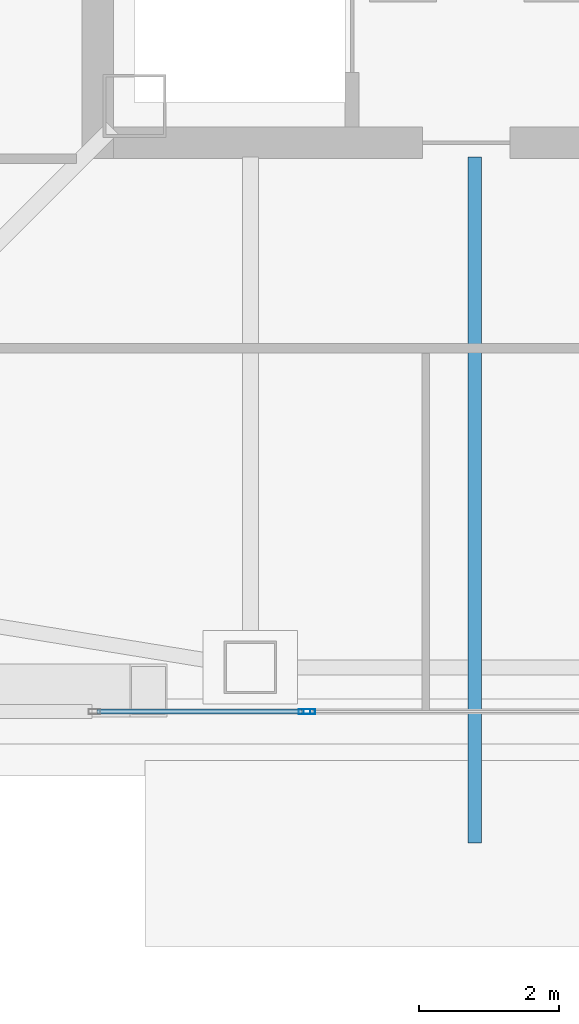
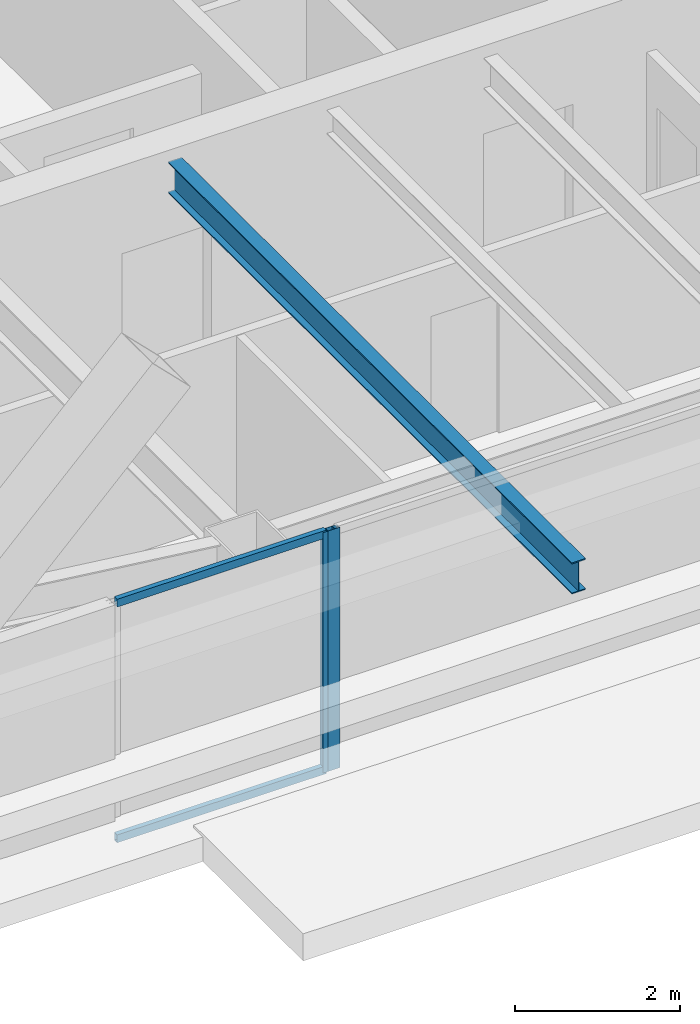
# One storey, part 5 of 39: 4 members, 1 beam, 2 elements without a shape of their own.
"""IFC4 building model written with IfcOpenShell, lengths in metres."""

from ifc_helpers import new_model, si_unit, direction, frame, origin, origin_2d, place, context, subcontext, project, spatial, hollow_rectangle, i_section, extrude, material, material_profile, profile_set, type_object, element, aggregate, save


model = new_model("IFC4")

# Units and contexts
model_context = context("Model", 3, precision=1e-05, world=origin(), true_north=direction((0.0, 1.0)))
body_context = subcontext(model_context, "Body", "Model", "MODEL_VIEW")
ifc_project = project(units=[si_unit("LENGTHUNIT", "METRE"), si_unit("AREAUNIT", "SQUARE_METRE"), si_unit("VOLUMEUNIT", "CUBIC_METRE"), si_unit("PLANEANGLEUNIT", "RADIAN"), si_unit("MASSUNIT", "GRAM", prefix="KILO")], contexts=[model_context])

# Site, building, storey
site_placement = place(None, origin())
site = spatial("IfcSite", under=ifc_project, at=site_placement, CompositionType="ELEMENT")
building_placement = place(site_placement, origin())
building = spatial("IfcBuilding", under=site, at=building_placement, Name="Tashvorn Skyway Center", CompositionType="ELEMENT")
storey_placement = place(building_placement, frame((0.0, 0.0, 232.60009765625)))
storey = spatial("IfcBuildingStorey", under=building, at=storey_placement, Name="L63", CompositionType="ELEMENT", Elevation=232.60009765625)

# Beam
ifc_material_1 = material(Name="Steel ASTM A992 Grade 50", Category="steel")
ifc_material_profile_1 = material_profile(ifc_material_1, i_section(OverallWidth=0.19091796875, OverallDepth=0.4599609375, WebThickness=0.010009765625, FlangeThickness=0.01611328125, at=origin_2d()), Name="W18X55")
ifc_profile_set_1 = profile_set([ifc_material_profile_1], Name="Steel ASTM A992 Grade 50")
beam_type = type_object("IfcBeamType", Name="BM-JOIST-W18X55", PredefinedType="JOIST", material=ifc_profile_set_1)
beam_placement = place(storey_placement, frame((39.800048828125, 24.219970703125, 3.139892578125), z_axis=(0.0, -1.0, 0.0), x_axis=(1.0, 0.0, 0.0)))
element("IfcBeam", 1, at=beam_placement, inside=storey, type_object=beam_type, Name="Tower 1 L64 Terrace Cantilever Outlooker 1", PredefinedType="JOIST", context=body_context, shape_type="SweptSolid", body=[
    extrude(i_section(OverallWidth=0.19091796875, OverallDepth=0.4599609375, WebThickness=0.010009765625, FlangeThickness=0.01611328125, at=origin_2d()), origin(), (0.0, 0.0, 1.0), 9.77001953125),
])

# Curtain wall, member
ifc_material_2 = material(Name="Thermally broken bronze-anodized aluminium 6063-T6", Category="aluminium")
curtain_wall_type = type_object("IfcCurtainWallType", Name="CW-CW-Z5", PredefinedType="NOTDEFINED", material=ifc_material_2)
curtain_wall_1_placement = place(storey_placement, origin())
curtain_wall_1 = element("IfcCurtainWall", 2, at=curtain_wall_1_placement, inside=storey, type_object=curtain_wall_type, Name="Tower 1 L63 South Unitised Curtain Wall Glazing Group 2", PredefinedType="NOTDEFINED")
ifc_material_profile_2 = material_profile(ifc_material_2, hollow_rectangle(XDim=0.070068359375, YDim=0.1650390625, WallThickness=0.00390625, at=origin_2d()), Name="ALU-MULL-70x165")
ifc_profile_set_2 = profile_set([ifc_material_profile_2], Name="Thermally broken bronze-anodized aluminium 6063-T6")
member_type_1 = type_object("IfcMemberType", Name="CWM-CW-Z5", PredefinedType="MULLION", material=ifc_profile_set_2)
member_1_placement = place(storey_placement, frame((37.441650390625, 16.320068359375, 0.0), z_axis=(0.0, 0.0, 1.0), x_axis=(0.0, -1.0, 0.0)))
member_1 = element("IfcMember", 3, at=member_1_placement, type_object=member_type_1, Name="CW-Z5 mullion 2", PredefinedType="MULLION", context=body_context, shape_type="SweptSolid", body=[
    extrude(hollow_rectangle(XDim=0.070068359375, YDim=0.1650390625, WallThickness=0.00390625, at=origin_2d()), origin(), (0.0, 0.0, 1.0), 3.5498046875),
])
aggregate(curtain_wall_1, [member_1])

# Curtain wall, members
curtain_wall_2_placement = place(storey_placement, origin())
curtain_wall_2 = element("IfcCurtainWall", 4, at=curtain_wall_2_placement, inside=storey, type_object=curtain_wall_type, Name="Tower 1 L63 South Unitised Curtain Wall Glazing Group 3", PredefinedType="NOTDEFINED")
member_2_placement = place(storey_placement, frame((37.37158203125, 16.320068359375, 0.0), z_axis=(0.0, 0.0, 1.0), x_axis=(0.0, -1.0, 0.0)))
member_2 = element("IfcMember", 5, at=member_2_placement, type_object=member_type_1, Name="CW-Z5 mullion 1", PredefinedType="MULLION", context=body_context, shape_type="SweptSolid", body=[
    extrude(hollow_rectangle(XDim=0.070068359375, YDim=0.1650390625, WallThickness=0.00390625, at=origin_2d()), origin(), (0.0, 0.0, 1.0), 3.5498046875),
])
ifc_material_profile_3 = material_profile(ifc_material_2, hollow_rectangle(XDim=0.070068359375, YDim=0.114990234375, WallThickness=0.00390625, at=origin_2d()), Name="ALU-TRAN-70x115")
ifc_profile_set_3 = profile_set([ifc_material_profile_3], Name="Thermally broken bronze-anodized aluminium 6063-T6")
member_type_2 = type_object("IfcMemberType", Name="CWT-CW-Z5", PredefinedType="USERDEFINED", material=ifc_profile_set_3)
member_3_placement = place(storey_placement, frame((37.336669921875, 16.320068359375, 0.034912109375), z_axis=(-1.0, 0.0, 0.0), x_axis=(0.0, -1.0, 0.0)))
member_3 = element("IfcMember", 6, at=member_3_placement, type_object=member_type_2, Name="CW-Z5 transom 1.1", ObjectType="TRANSOM", PredefinedType="USERDEFINED", context=body_context, shape_type="SweptSolid", body=[
    extrude(hollow_rectangle(XDim=0.070068359375, YDim=0.114990234375, WallThickness=0.00390625, at=origin_2d()), origin(), (0.0, 0.0, 1.0), 2.92236328125),
])
member_4_placement = place(storey_placement, frame((37.336669921875, 16.320068359375, 3.514892578125), z_axis=(-1.0, 0.0, 0.0), x_axis=(0.0, -1.0, 0.0)))
member_4 = element("IfcMember", 7, at=member_4_placement, type_object=member_type_2, Name="CW-Z5 transom 1.2", ObjectType="TRANSOM", PredefinedType="USERDEFINED", context=body_context, shape_type="SweptSolid", body=[
    extrude(hollow_rectangle(XDim=0.070068359375, YDim=0.114990234375, WallThickness=0.00390625, at=origin_2d()), origin(), (0.0, 0.0, 1.0), 2.92236328125),
])
aggregate(curtain_wall_2, [member_2, member_3, member_4])

save(model, "model.ifc")
